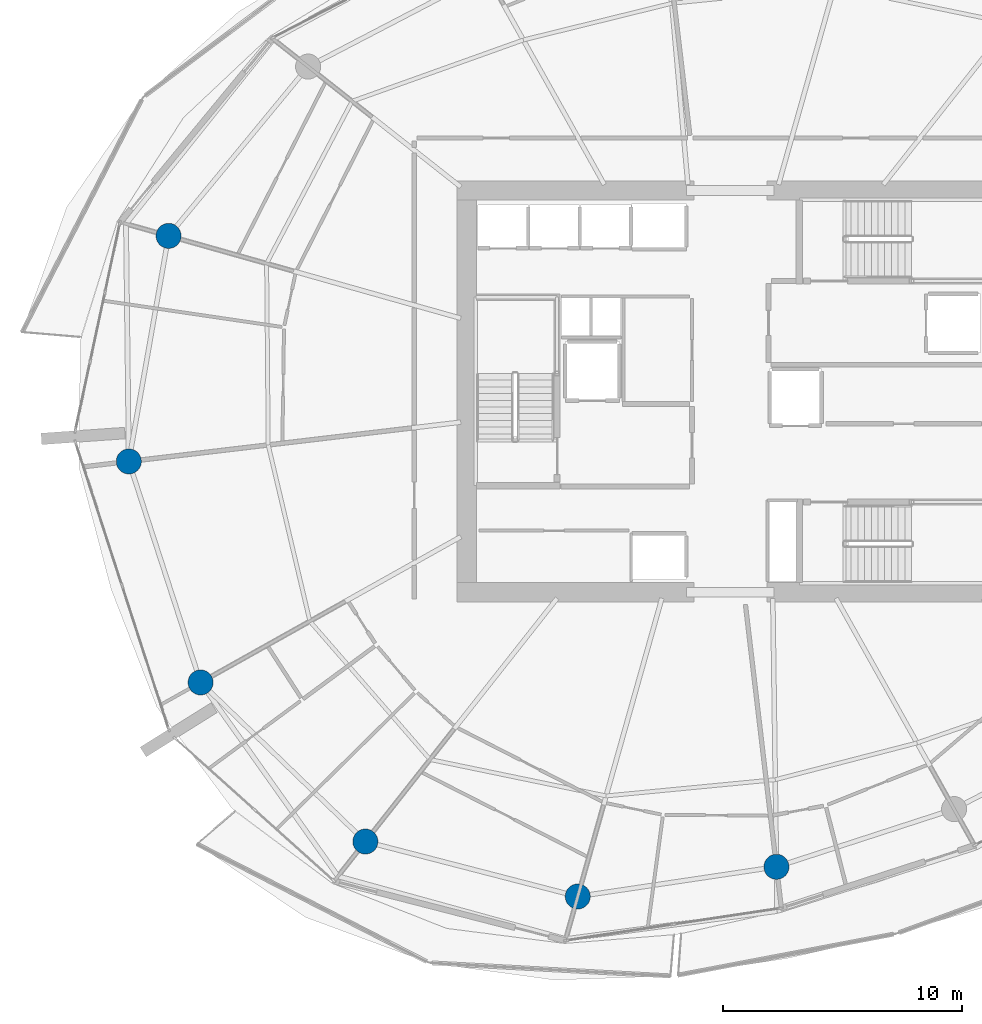
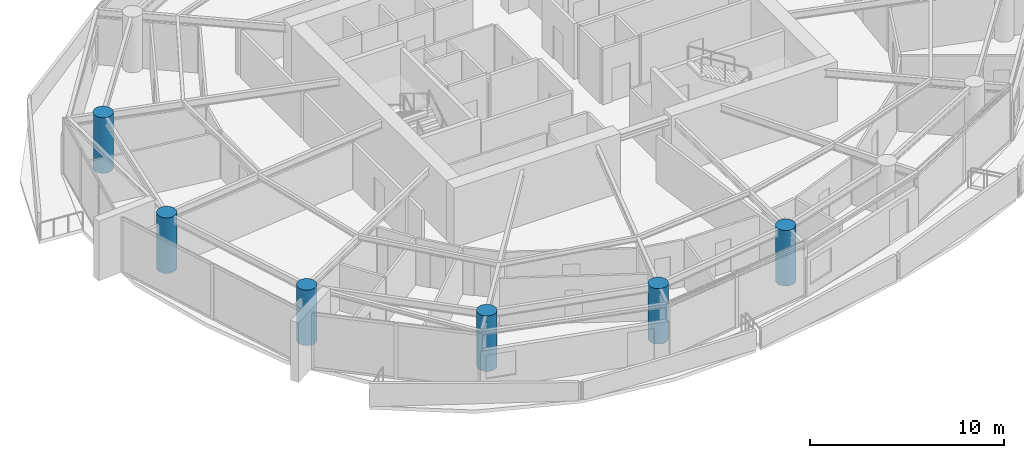
# One storey, part 1 of 20: 6 columns.
"""IFC4 building model written with IfcOpenShell, lengths in metres."""

from ifc_helpers import new_model, si_unit, direction, frame, origin, origin_2d, place, context, subcontext, project, spatial, circle, extrude, material, material_profile, profile_set, type_object, element, save


model = new_model("IFC4")

# Units and contexts
model_context = context("Model", 3, precision=1e-05, world=origin(), true_north=direction((0.0, 1.0)))
body_context = subcontext(model_context, "Body", "Model", "MODEL_VIEW")
ifc_project = project(units=[si_unit("LENGTHUNIT", "METRE"), si_unit("AREAUNIT", "SQUARE_METRE"), si_unit("VOLUMEUNIT", "CUBIC_METRE"), si_unit("PLANEANGLEUNIT", "RADIAN"), si_unit("MASSUNIT", "GRAM", prefix="KILO")], contexts=[model_context])

# Site, building, storey
site_placement = place(None, origin())
site = spatial("IfcSite", under=ifc_project, at=site_placement, CompositionType="ELEMENT")
building_placement = place(site_placement, origin())
building = spatial("IfcBuilding", under=site, at=building_placement, Name="Kazma Halo Residences", CompositionType="ELEMENT")
storey_placement = place(building_placement, frame((0.0, 0.0, 161.550048828125)))
storey = spatial("IfcBuildingStorey", under=building, at=storey_placement, Name="L40", CompositionType="ELEMENT", Elevation=161.550048828125)

# Columns
ifc_material = material(Name="Concrete C80/95", Category="concrete")
ifc_material_profile = material_profile(ifc_material, circle(Radius=0.52490234375, at=origin_2d()), Name="CIRC1050")
ifc_profile_set = profile_set([ifc_material_profile], Name="Concrete C80/95")
column_type = type_object("IfcColumnType", Name="COL-PERIM-1050", PredefinedType="COLUMN", material=ifc_profile_set)
for number, where, z_axis, x_axis, name in (
    (1, (24.93017578125, 48.50634765625, 0.0), (0.0, 0.0, 1.0), (1.0, 0.0, 0.0), "L40 perimeter ring column P07"),
    (2, (23.266845703125, 39.072509765625, 0.0), (0.0, 0.0, 1.0), (1.0, 0.0, 0.0), "L40 perimeter ring column P08"),
    (3, (26.269775390625, 29.83056640625, 0.0), (0.0, 0.0, 1.0), (1.0, 0.0, 0.0), "L40 perimeter ring column P09"),
    (4, (33.160400390625, 23.17626953125, 0.0), (0.0, 0.0, 1.0), (1.0, 0.0, 0.0), "L40 perimeter ring column P10"),
    (5, (42.04296875, 20.878173828125, 0.0), (0.0, 0.0, 1.0), (1.0, 0.0, 0.0), "L40 perimeter ring column P11"),
    (6, (50.35302734375, 22.118896484375, 0.0), (0.0, 0.0, 1.0), (1.0, 0.0, 0.0), "L40 perimeter ring column P12"),
):
    element("IfcColumn", number, at=place(storey_placement, frame(where, z_axis=z_axis, x_axis=x_axis)), inside=storey, type_object=column_type, Name=name, PredefinedType="COLUMN", context=body_context, shape_type="SweptSolid", body=[
        extrude(circle(Radius=0.52490234375, at=origin_2d()), origin(), (0.0, 0.0, 1.0), 3.5),
    ])

save(model, "model.ifc")
